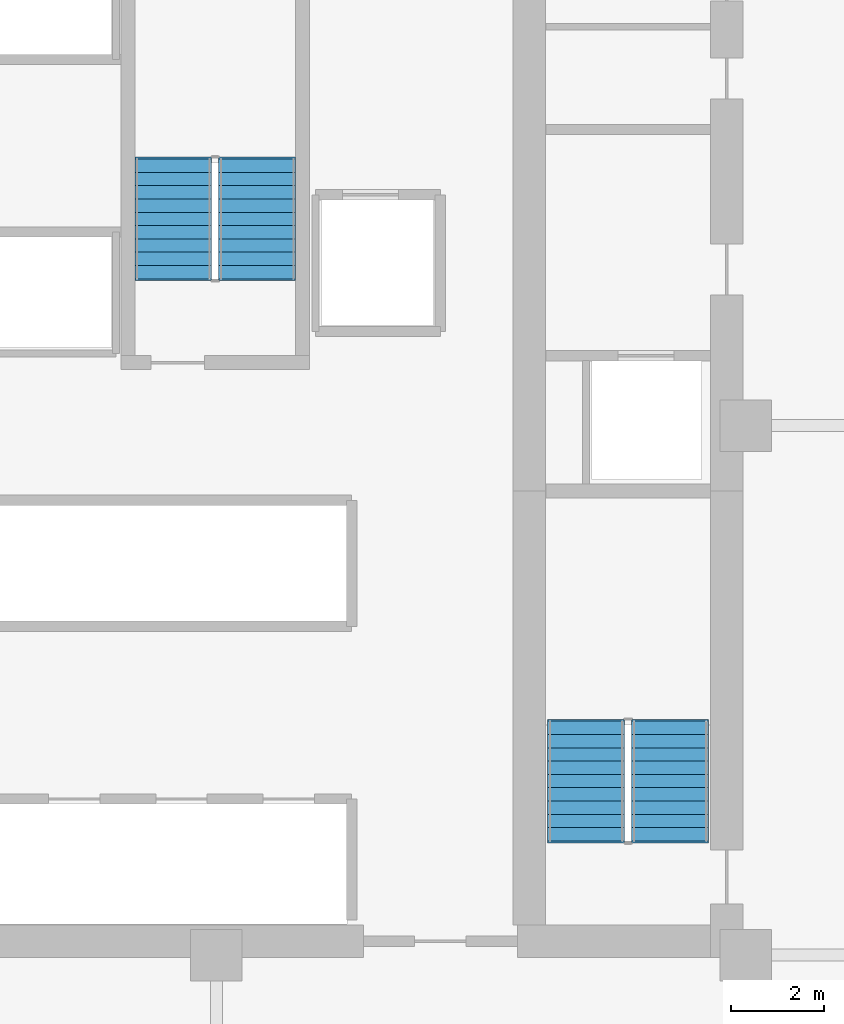
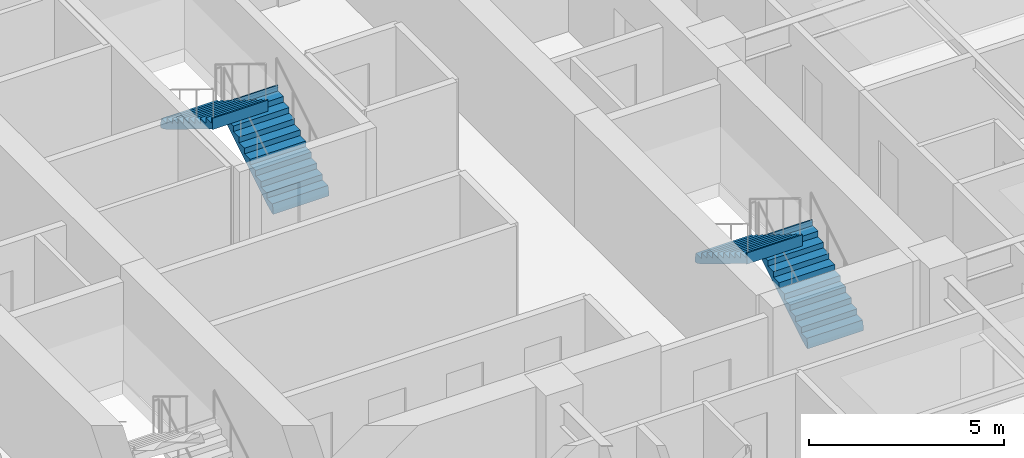
# One storey, part 7 of 12: 4 stair flights, 2 elements without a shape of their own.
"""IFC4 building model written with IfcOpenShell, lengths in metres."""

from ifc_helpers import new_model, si_unit, direction, frame, origin, place, context, subcontext, project, spatial, polyline, outline, extrude, material, type_object, element, aggregate, save


model = new_model("IFC4")

# Units and contexts
model_context = context("Model", 3, precision=1e-05, world=origin(), true_north=direction((0.0, 1.0)))
body_context = subcontext(model_context, "Body", "Model", "MODEL_VIEW")
ifc_project = project(units=[si_unit("LENGTHUNIT", "METRE"), si_unit("AREAUNIT", "SQUARE_METRE"), si_unit("VOLUMEUNIT", "CUBIC_METRE"), si_unit("PLANEANGLEUNIT", "RADIAN"), si_unit("MASSUNIT", "GRAM", prefix="KILO")], contexts=[model_context])

# Site, building, storey
site_placement = place(None, origin())
site = spatial("IfcSite", under=ifc_project, at=site_placement, CompositionType="ELEMENT")
building_placement = place(site_placement, origin())
building = spatial("IfcBuilding", under=site, at=building_placement, Name="Nhamokura Convention Tower", CompositionType="ELEMENT")
storey_placement = place(building_placement, frame((0.0, 0.0, 38.85009765625)))
storey = spatial("IfcBuildingStorey", under=building, at=storey_placement, Name="L07", CompositionType="ELEMENT", Elevation=38.85009765625)

# Stair, stair flights
ifc_material_1 = material(Name="Concrete C40/50", Category="concrete")
stair_type = type_object("IfcStairType", Name="TowerCoreStair_1650", PredefinedType="HALF_TURN_STAIR", material=ifc_material_1)
stair_1_placement = place(storey_placement, origin())
stair_1 = element("IfcStair", 1, at=stair_1_placement, inside=storey, type_object=stair_type, Name="L07 East Core Smokeproof Stair ST-02", PredefinedType="HALF_TURN_STAIR")
ifc_material_2 = material(Name="Concrete C40/50", Category="concrete")
stair_flight_type = type_object("IfcStairFlightType", Name="TowerCoreStair_1650_Flight", PredefinedType="STRAIGHT", material=ifc_material_2)
stair_flight_1_placement = place(storey_placement, frame((41.72509765625, 23.10009765625, 0.0), z_axis=(0.0, 0.0, 1.0), x_axis=(0.0, 1.0, 0.0)))
stair_flight_1 = element("IfcStairFlight", 2, at=stair_flight_1_placement, type_object=stair_flight_type, Name="ST-02 flight 1", NumberOfRisers=10, NumberOfTreads=9, PredefinedType="STRAIGHT", RiserHeight=0.175, TreadLength=0.285, context=body_context, shape_type="SweptSolid", body=[
    extrude(outline(polyline([(-0.0419921875, 0.0), (0.0, 0.175048828125), (0.284912109375, 0.175048828125), (0.284912109375, 0.35009765625), (0.570068359375, 0.35009765625), (0.570068359375, 0.52490234375), (0.85498046875, 0.52490234375), (0.85498046875, 0.699951171875), (1.139892578125, 0.699951171875), (1.139892578125, 0.875), (1.425048828125, 0.875), (1.425048828125, 1.050048828125), (1.7099609375, 1.050048828125), (1.7099609375, 1.22509765625), (1.9951171875, 1.22509765625), (1.9951171875, 1.39990234375), (2.280029296875, 1.39990234375), (2.280029296875, 1.574951171875), (2.56494140625, 1.574951171875), (2.56494140625, 1.75), (2.60693359375, 1.75), (2.60693359375, 1.399169921875), (2.56494140625, 1.399169921875), (0.286376953125, 0.0), (0.02001953125, -0.1298828125), (-0.0419921875, -0.1298828125), (-0.0419921875, 0.0)])), frame((0.0, 0.824951171875, 0.0), z_axis=(0.0, -1.0, 0.0), x_axis=(1.0, 0.0, 0.0)), (0.0, 0.0, 1.0), 1.64990234375),
])
stair_flight_2_placement = place(storey_placement, frame((39.925048828125, 25.6650390625, 1.75), z_axis=(0.0, 0.0, 1.0), x_axis=(0.0, -1.0, 0.0)))
stair_flight_2 = element("IfcStairFlight", 3, at=stair_flight_2_placement, type_object=stair_flight_type, Name="ST-02 flight 2", NumberOfRisers=10, NumberOfTreads=9, PredefinedType="STRAIGHT", RiserHeight=0.175, TreadLength=0.285, context=body_context, shape_type="SweptSolid", body=[
    extrude(outline(polyline([(-0.0419921875, 0.0), (0.0, 0.175048828125), (0.284912109375, 0.175048828125), (0.284912109375, 0.35009765625), (0.570068359375, 0.35009765625), (0.570068359375, 0.52490234375), (0.85498046875, 0.52490234375), (0.85498046875, 0.699951171875), (1.139892578125, 0.699951171875), (1.139892578125, 0.875), (1.425048828125, 0.875), (1.425048828125, 1.050048828125), (1.7099609375, 1.050048828125), (1.7099609375, 1.22509765625), (1.9951171875, 1.22509765625), (1.9951171875, 1.39990234375), (2.280029296875, 1.39990234375), (2.280029296875, 1.574951171875), (2.56494140625, 1.574951171875), (2.56494140625, 1.75), (2.60693359375, 1.75), (2.60693359375, 1.399169921875), (2.56494140625, 1.399169921875), (0.286376953125, 0.0), (0.02001953125, -0.1298828125), (-0.0419921875, -0.1298828125), (-0.0419921875, 0.0)])), frame((0.0, 0.824951171875, 0.0), z_axis=(0.0, -1.0, 0.0), x_axis=(1.0, 0.0, 0.0)), (0.0, 0.0, 1.0), 1.64990234375),
])
aggregate(stair_1, [stair_flight_1, stair_flight_2])

stair_2_placement = place(storey_placement, origin())
stair_2 = element("IfcStair", 4, at=stair_2_placement, inside=storey, type_object=stair_type, Name="L07 North Core Smokeproof Stair ST-03", PredefinedType="HALF_TURN_STAIR")
stair_flight_3_placement = place(storey_placement, frame((32.875, 35.14990234375, 0.0), z_axis=(0.0, 0.0, 1.0), x_axis=(0.0, 1.0, 0.0)))
stair_flight_3 = element("IfcStairFlight", 5, at=stair_flight_3_placement, type_object=stair_flight_type, Name="ST-03 flight 1", NumberOfRisers=10, NumberOfTreads=9, PredefinedType="STRAIGHT", RiserHeight=0.175, TreadLength=0.285, context=body_context, shape_type="SweptSolid", body=[
    extrude(outline(polyline([(-0.0419921875, 0.0), (0.0, 0.175048828125), (0.284912109375, 0.175048828125), (0.284912109375, 0.35009765625), (0.570068359375, 0.35009765625), (0.570068359375, 0.52490234375), (0.85498046875, 0.52490234375), (0.85498046875, 0.699951171875), (1.139892578125, 0.699951171875), (1.139892578125, 0.875), (1.425048828125, 0.875), (1.425048828125, 1.050048828125), (1.7099609375, 1.050048828125), (1.7099609375, 1.22509765625), (1.9951171875, 1.22509765625), (1.9951171875, 1.39990234375), (2.280029296875, 1.39990234375), (2.280029296875, 1.574951171875), (2.56494140625, 1.574951171875), (2.56494140625, 1.75), (2.60693359375, 1.75), (2.60693359375, 1.399169921875), (2.56494140625, 1.399169921875), (0.286376953125, 0.0), (0.02001953125, -0.1298828125), (-0.0419921875, -0.1298828125), (-0.0419921875, 0.0)])), frame((0.0, 0.824951171875, 0.0), z_axis=(0.0, -1.0, 0.0), x_axis=(1.0, 0.0, 0.0)), (0.0, 0.0, 1.0), 1.64990234375),
])
stair_flight_4_placement = place(storey_placement, frame((31.074951171875, 37.715087890625, 1.75), z_axis=(0.0, 0.0, 1.0), x_axis=(0.0, -1.0, 0.0)))
stair_flight_4 = element("IfcStairFlight", 6, at=stair_flight_4_placement, type_object=stair_flight_type, Name="ST-03 flight 2", NumberOfRisers=10, NumberOfTreads=9, PredefinedType="STRAIGHT", RiserHeight=0.175, TreadLength=0.285, context=body_context, shape_type="SweptSolid", body=[
    extrude(outline(polyline([(-0.0419921875, 0.0), (0.0, 0.175048828125), (0.284912109375, 0.175048828125), (0.284912109375, 0.35009765625), (0.570068359375, 0.35009765625), (0.570068359375, 0.52490234375), (0.85498046875, 0.52490234375), (0.85498046875, 0.699951171875), (1.139892578125, 0.699951171875), (1.139892578125, 0.875), (1.425048828125, 0.875), (1.425048828125, 1.050048828125), (1.7099609375, 1.050048828125), (1.7099609375, 1.22509765625), (1.9951171875, 1.22509765625), (1.9951171875, 1.39990234375), (2.280029296875, 1.39990234375), (2.280029296875, 1.574951171875), (2.56494140625, 1.574951171875), (2.56494140625, 1.75), (2.60693359375, 1.75), (2.60693359375, 1.399169921875), (2.56494140625, 1.399169921875), (0.286376953125, 0.0), (0.02001953125, -0.1298828125), (-0.0419921875, -0.1298828125), (-0.0419921875, 0.0)])), frame((0.0, 0.824951171875, 0.0), z_axis=(0.0, -1.0, 0.0), x_axis=(1.0, 0.0, 0.0)), (0.0, 0.0, 1.0), 1.64990234375),
])
aggregate(stair_2, [stair_flight_3, stair_flight_4])

save(model, "model.ifc")
